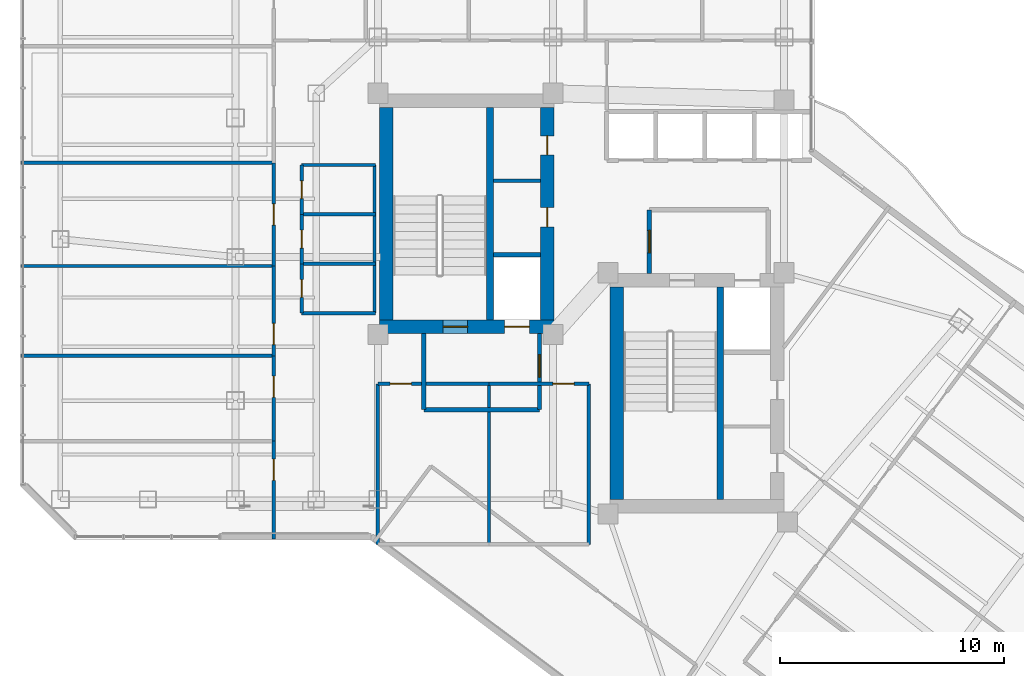
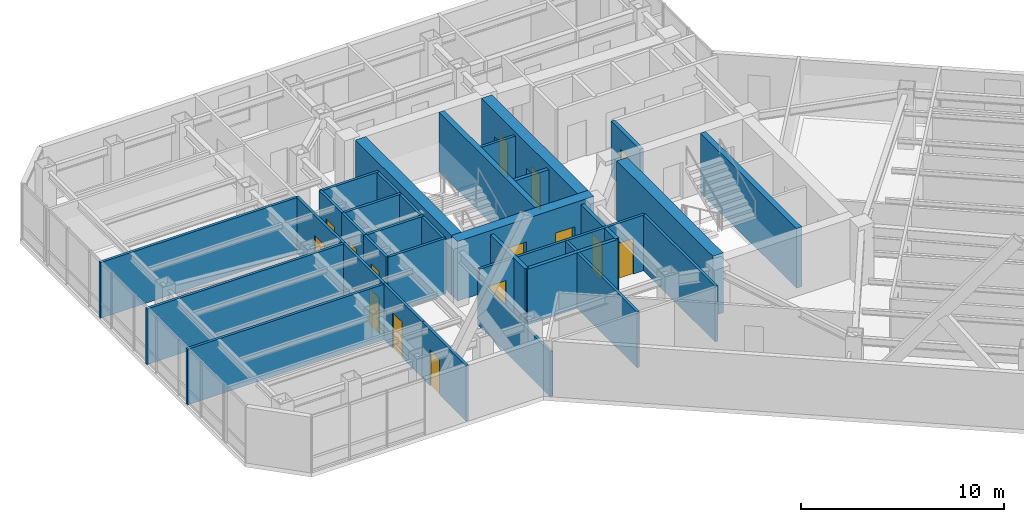
# One storey, part 22 of 27: 32 walls, 15 doors, 15 openings.
"""IFC4 building model written with IfcOpenShell, lengths in metres."""

from ifc_helpers import new_model, si_unit, direction, frame, frame_2d, origin, place, context, subcontext, project, spatial, rectangle, extrude, material, layer, layer_set, type_object, element, fill, save


model = new_model("IFC4")

# Units and contexts
model_context = context("Model", 3, precision=1e-05, world=origin(), true_north=direction((0.0, 1.0)))
body_context = subcontext(model_context, "Body", "Model", "MODEL_VIEW")
ifc_project = project(units=[si_unit("LENGTHUNIT", "METRE"), si_unit("AREAUNIT", "SQUARE_METRE"), si_unit("VOLUMEUNIT", "CUBIC_METRE"), si_unit("PLANEANGLEUNIT", "RADIAN"), si_unit("MASSUNIT", "GRAM", prefix="KILO")], contexts=[model_context])

# Site, building, storey
site_placement = place(None, origin())
site = spatial("IfcSite", under=ifc_project, at=site_placement, CompositionType="ELEMENT")
building_placement = place(site_placement, origin())
building = spatial("IfcBuilding", under=site, at=building_placement, Name="Hatsunagi Terrace Concourse", CompositionType="ELEMENT")
storey_placement = place(building_placement, frame((0.0, 0.0, 167.25)))
storey = spatial("IfcBuildingStorey", under=building, at=storey_placement, Name="L44", CompositionType="ELEMENT", Elevation=167.25)

# Wall, openings, doors
ifc_material_1 = material(Name="Concrete Fc48", Category="concrete")
ifc_layer_1 = layer(ifc_material_1, 0.60009765625)
ifc_layer_set_1 = layer_set([ifc_layer_1], Name="CoreShearWall_Fc48_600")
wall_type_1 = type_object("IfcWallType", Name="CoreShearWall_Fc48_600", PredefinedType="SHEAR", material=ifc_layer_set_1)
wall_1_placement = place(storey_placement, frame((25.6201171875, 32.889892578125, 0.0), z_axis=(0.0, 0.0, 1.0), x_axis=(1.0, 0.0, 0.0)))
wall_1 = element("IfcWall", 1, at=wall_1_placement, inside=storey, type_object=wall_type_1, Name="Core A Shear Wall S L44", PredefinedType="SHEAR", context=body_context, shape_type="SweptSolid", body=[
    extrude(rectangle(XDim=7.77978515625, YDim=0.60009765625, at=frame_2d((3.889892578125, 0.0))), origin(), (0.0, 0.0, 1.0), 3.60009765625),
])
opening_1_placement = place(wall_1_placement, frame((2.830078125, 0.0, 0.0)))
opening_1 = element("IfcOpeningElement", 2, at=opening_1_placement, cuts=wall_1, Name="Opening DR-110S", PredefinedType="OPENING", context=body_context, shape_type="SweptSolid", body=[
    extrude(rectangle(XDim=1.10009765625, YDim=2.199951171875, at=frame_2d((0.550048828125, 1.10009765625))), frame((0.0, 0.31005859375, 0.0), z_axis=(0.0, -1.0, 0.0), x_axis=(1.0, 0.0, 0.0)), (0.0, 0.0, 1.0), 0.6201171875),
])
opening_2_placement = place(wall_1_placement, frame((5.580078125, 0.0, 0.0)))
opening_2 = element("IfcOpeningElement", 3, at=opening_2_placement, cuts=wall_1, Name="Opening LD-01", PredefinedType="OPENING", context=body_context, shape_type="SweptSolid", body=[
    extrude(rectangle(XDim=1.10009765625, YDim=2.14990234375, at=frame_2d((0.550048828125, 1.074951171875))), frame((0.0, 0.31005859375, 0.0), z_axis=(0.0, -1.0, 0.0), x_axis=(1.0, 0.0, 0.0)), (0.0, 0.0, 1.0), 0.6201171875),
])
ifc_material_2 = material(Name="Stainless steel", Category="steel")
door_type_1 = type_object("IfcDoorType", Name="LiftLandingDoor_LD01", OperationType="SLIDING_TO_LEFT", PredefinedType="USERDEFINED", material=ifc_material_2)
door_1_placement = place(opening_2_placement, origin())
door_1 = element("IfcDoor", 4, at=door_1_placement, inside=storey, type_object=door_type_1, Name="Lift landing door FF-01 L44", ObjectType="SLIDING_LANDING_DOOR", OperationType="SLIDING_TO_LEFT", OverallHeight=2.14990234375, OverallWidth=1.10009765625, PredefinedType="USERDEFINED", context=body_context, shape_type="SweptSolid", body=[
    extrude(rectangle(XDim=1.10009765625, YDim=2.14990234375, at=frame_2d((0.550048828125, 1.074951171875))), frame((0.0, 0.02490234375, 0.0), z_axis=(0.0, -1.0, 0.0), x_axis=(1.0, 0.0, 0.0)), (0.0, 0.0, 1.0), 0.050048828125),
])
fill(opening_2, door_1)
ifc_material_3 = material(Name="Painted steel", Category="steel")
door_type_2 = type_object("IfcDoorType", Name="StairFireDoor_EI60_1100", OperationType="NOTDEFINED", PredefinedType="DOOR", material=ifc_material_3)
door_2_placement = place(opening_1_placement, origin())
door_2 = element("IfcDoor", 5, at=door_2_placement, inside=storey, type_object=door_type_2, Name="Stair ST-A Exit Door L44", OperationType="SINGLE_SWING_LEFT", OverallHeight=2.199951171875, OverallWidth=1.10009765625, PredefinedType="DOOR", context=body_context, shape_type="SweptSolid", body=[
    extrude(rectangle(XDim=1.10009765625, YDim=2.199951171875, at=frame_2d((0.550048828125, 1.10009765625))), frame((0.0, 0.02490234375, 0.0), z_axis=(0.0, -1.0, 0.0), x_axis=(1.0, 0.0, 0.0)), (0.0, 0.0, 1.0), 0.050048828125),
])
fill(opening_1, door_2)

# Wall
wall_2_placement = place(storey_placement, frame((25.919921875, 33.18994140625, 0.0), z_axis=(0.0, 0.0, 1.0), x_axis=(0.0, 1.0, 0.0)))
element("IfcWall", 6, at=wall_2_placement, inside=storey, type_object=wall_type_1, Name="Core A Shear Wall W L44", PredefinedType="SHEAR", context=body_context, shape_type="SweptSolid", body=[
    extrude(rectangle(XDim=9.47998046875, YDim=0.60009765625, at=frame_2d((4.739990234375, 0.0))), origin(), (0.0, 0.0, 1.0), 3.60009765625),
])

# Wall, openings, doors
wall_3_placement = place(storey_placement, frame((33.10009765625, 33.18994140625, 0.0), z_axis=(0.0, 0.0, 1.0), x_axis=(0.0, 1.0, 0.0)))
wall_3 = element("IfcWall", 7, at=wall_3_placement, inside=storey, type_object=wall_type_1, Name="Core A Shear Wall E L44", PredefinedType="SHEAR", context=body_context, shape_type="SweptSolid", body=[
    extrude(rectangle(XDim=9.47998046875, YDim=0.60009765625, at=frame_2d((4.739990234375, 0.0))), origin(), (0.0, 0.0, 1.0), 3.60009765625),
])
opening_3_placement = place(wall_3_placement, frame((4.159912109375, 0.0, 0.0)))
opening_3 = element("IfcOpeningElement", 8, at=opening_3_placement, cuts=wall_3, Name="Opening DR-085", PredefinedType="OPENING", context=body_context, shape_type="SweptSolid", body=[
    extrude(rectangle(XDim=0.85009765625, YDim=2.080078125, at=frame_2d((0.425048828125, 1.0400390625))), frame((0.0, 0.31005859375, 0.0), z_axis=(0.0, -1.0, 0.0), x_axis=(1.0, 0.0, 0.0)), (0.0, 0.0, 1.0), 0.6201171875),
])
opening_4_placement = place(wall_3_placement, frame((7.360107421875, 0.0, 0.0)))
opening_4 = element("IfcOpeningElement", 9, at=opening_4_placement, cuts=wall_3, Name="Opening DR-085", PredefinedType="OPENING", context=body_context, shape_type="SweptSolid", body=[
    extrude(rectangle(XDim=0.85009765625, YDim=2.080078125, at=frame_2d((0.425048828125, 1.0400390625))), frame((0.0, 0.31005859375, 0.0), z_axis=(0.0, -1.0, 0.0), x_axis=(1.0, 0.0, 0.0)), (0.0, 0.0, 1.0), 0.6201171875),
])
ifc_material_4 = material(Name="Painted steel", Category="steel")
door_type_3 = type_object("IfcDoorType", Name="RiserAccessDoor_EI60_850", OperationType="NOTDEFINED", PredefinedType="DOOR", material=ifc_material_4)
door_3_placement = place(opening_3_placement, origin())
door_3 = element("IfcDoor", 10, at=door_3_placement, inside=storey, type_object=door_type_3, Name="Core A Riser Door L44-1", OperationType="SINGLE_SWING_LEFT", OverallHeight=2.080078125, OverallWidth=0.85009765625, PredefinedType="DOOR", context=body_context, shape_type="SweptSolid", body=[
    extrude(rectangle(XDim=0.85009765625, YDim=2.080078125, at=frame_2d((0.425048828125, 1.0400390625))), frame((0.0, 0.02490234375, 0.0), z_axis=(0.0, -1.0, 0.0), x_axis=(1.0, 0.0, 0.0)), (0.0, 0.0, 1.0), 0.050048828125),
])
fill(opening_3, door_3)
door_4_placement = place(opening_4_placement, origin())
door_4 = element("IfcDoor", 11, at=door_4_placement, inside=storey, type_object=door_type_3, Name="Core A Riser Door L44-2", OperationType="SINGLE_SWING_LEFT", OverallHeight=2.080078125, OverallWidth=0.85009765625, PredefinedType="DOOR", context=body_context, shape_type="SweptSolid", body=[
    extrude(rectangle(XDim=0.85009765625, YDim=2.080078125, at=frame_2d((0.425048828125, 1.0400390625))), frame((0.0, 0.02490234375, 0.0), z_axis=(0.0, -1.0, 0.0), x_axis=(1.0, 0.0, 0.0)), (0.0, 0.0, 1.0), 0.050048828125),
])
fill(opening_4, door_4)

# Walls
wall_4_placement = place(storey_placement, frame((36.18994140625, 25.18994140625, 0.0), z_axis=(0.0, 0.0, 1.0), x_axis=(0.0, 1.0, 0.0)))
element("IfcWall", 12, at=wall_4_placement, inside=storey, type_object=wall_type_1, Name="Core B Shear Wall W L44", PredefinedType="SHEAR", context=body_context, shape_type="SweptSolid", body=[
    extrude(rectangle(XDim=9.47998046875, YDim=0.60009765625, at=frame_2d((4.739990234375, 0.0))), origin(), (0.0, 0.0, 1.0), 3.60009765625),
])
ifc_material_5 = material(Name="Concrete Fc48", Category="concrete")
ifc_layer_2 = layer(ifc_material_5, 0.300048828125)
ifc_layer_set_2 = layer_set([ifc_layer_2], Name="CoreStairDivider_Fc48_300")
wall_type_2 = type_object("IfcWallType", Name="CoreStairDivider_Fc48_300", PredefinedType="SHEAR", material=ifc_layer_set_2)
for number, where, z_axis, x_axis, name in (
    (13, (30.5400390625, 33.18994140625, 0.0), (0.0, 0.0, 1.0), (0.0, 1.0, 0.0), "Core A Shear Wall D L44"),
    (14, (40.81005859375, 25.18994140625, 0.0), (0.0, 0.0, 1.0), (0.0, 1.0, 0.0), "Core B Shear Wall D L44"),
):
    element("IfcWall", number, at=place(storey_placement, frame(where, z_axis=z_axis, x_axis=x_axis)), inside=storey, type_object=wall_type_2, Name=name, PredefinedType="SHEAR", context=body_context, shape_type="SweptSolid", body=[
        extrude(rectangle(XDim=9.47998046875, YDim=0.300048828125, at=frame_2d((4.739990234375, 0.0))), origin(), (0.0, 0.0, 1.0), 3.60009765625),
    ])
ifc_material_6 = material(Name="Acoustic mineral board", Category="gypsum")
ifc_layer_3 = layer(ifc_material_6, 0.14990234375)
ifc_layer_set_3 = layer_set([ifc_layer_3], Name="PartitionWall_EI60_150")
wall_type_3 = type_object("IfcWallType", Name="PartitionWall_EI60_150", PredefinedType="PARTITIONING", material=ifc_layer_set_3)
wall_5_placement = place(storey_placement, frame((30.699951171875, 39.39990234375, 0.0), z_axis=(0.0, 0.0, 1.0), x_axis=(1.0, 0.0, 0.0)))
element("IfcWall", 15, at=wall_5_placement, inside=storey, type_object=wall_type_3, Name="Interior Partition IW-L44-002", PredefinedType="PARTITIONING", context=body_context, shape_type="SweptSolid", body=[
    extrude(rectangle(XDim=2.10009765625, YDim=0.14990234375, at=frame_2d((1.050048828125, 0.0))), origin(), (0.0, 0.0, 1.0), 3.35009765625),
])
for number, where, z_axis, x_axis, name in (
    (16, (22.14990234375, 33.5, 0.0), (0.0, 0.0, 1.0), (1.0, 0.0, 0.0), "Interior Partition IW-L44-017"),
    (17, (22.14990234375, 40.10009765625, 0.0), (0.0, 0.0, 1.0), (1.0, 0.0, 0.0), "Interior Partition IW-L44-018"),
):
    element("IfcWall", number, at=place(storey_placement, frame(where, z_axis=z_axis, x_axis=x_axis)), inside=storey, type_object=wall_type_3, Name=name, PredefinedType="PARTITIONING", context=body_context, shape_type="SweptSolid", body=[
        extrude(rectangle(XDim=3.300048828125, YDim=0.14990234375, at=frame_2d((1.64990234375, 0.0))), origin(), (0.0, 0.0, 1.0), 3.35009765625),
    ])
wall_6_placement = place(storey_placement, frame((25.39990234375, 33.5, 0.0), z_axis=(0.0, 0.0, 1.0), x_axis=(0.0, 1.0, 0.0)))
element("IfcWall", 18, at=wall_6_placement, inside=storey, type_object=wall_type_3, Name="Interior Partition IW-L44-019", PredefinedType="PARTITIONING", context=body_context, shape_type="SweptSolid", body=[
    extrude(rectangle(XDim=6.60009765625, YDim=0.14990234375, at=frame_2d((3.300048828125, 0.0))), origin(), (0.0, 0.0, 1.0), 3.35009765625),
])
for number, where, z_axis, x_axis, name in (
    (19, (22.14990234375, 35.699951171875, 0.0), (0.0, 0.0, 1.0), (1.0, 0.0, 0.0), "Interior Partition IW-L44-020"),
    (20, (22.14990234375, 37.89990234375, 0.0), (0.0, 0.0, 1.0), (1.0, 0.0, 0.0), "Interior Partition IW-L44-021"),
):
    element("IfcWall", number, at=place(storey_placement, frame(where, z_axis=z_axis, x_axis=x_axis)), inside=storey, type_object=wall_type_3, Name=name, PredefinedType="PARTITIONING", context=body_context, shape_type="SweptSolid", body=[
        extrude(rectangle(XDim=3.300048828125, YDim=0.14990234375, at=frame_2d((1.64990234375, 0.0))), origin(), (0.0, 0.0, 1.0), 3.35009765625),
    ])

# Wall, opening, door
wall_7_placement = place(storey_placement, frame((22.14990234375, 33.5, 0.0), z_axis=(0.0, 0.0, 1.0), x_axis=(0.0, 1.0, 0.0)))
wall_7 = element("IfcWall", 21, at=wall_7_placement, inside=storey, type_object=wall_type_3, Name="Interior Partition IW-L44-022", PredefinedType="PARTITIONING", context=body_context, shape_type="SweptSolid", body=[
    extrude(rectangle(XDim=2.199951171875, YDim=0.14990234375, at=frame_2d((1.10009765625, 0.0))), origin(), (0.0, 0.0, 1.0), 3.35009765625),
])
opening_5_placement = place(wall_7_placement, frame((0.699951171875, 0.0, 0.0)))
opening_5 = element("IfcOpeningElement", 22, at=opening_5_placement, cuts=wall_7, Name="Opening DR-080", PredefinedType="OPENING", context=body_context, shape_type="SweptSolid", body=[
    extrude(rectangle(XDim=0.800048828125, YDim=2.06005859375, at=frame_2d((0.39990234375, 1.030029296875))), frame((0.0, 0.0849609375, 0.0), z_axis=(0.0, -1.0, 0.0), x_axis=(1.0, 0.0, 0.0)), (0.0, 0.0, 1.0), 0.169921875),
])
ifc_material_7 = material(Name="Hardwood timber", Category="wood")
door_type_4 = type_object("IfcDoorType", Name="BathroomDoor_800", OperationType="NOTDEFINED", PredefinedType="DOOR", material=ifc_material_7)
door_5_placement = place(opening_5_placement, origin())
door_5 = element("IfcDoor", 23, at=door_5_placement, inside=storey, type_object=door_type_4, Name="Accessible WC Door L44", OperationType="SINGLE_SWING_RIGHT", OverallHeight=2.06005859375, OverallWidth=0.800048828125, PredefinedType="DOOR", context=body_context, shape_type="SweptSolid", body=[
    extrude(rectangle(XDim=0.800048828125, YDim=2.06005859375, at=frame_2d((0.39990234375, 1.030029296875))), frame((0.0, 0.02490234375, 0.0), z_axis=(0.0, -1.0, 0.0), x_axis=(1.0, 0.0, 0.0)), (0.0, 0.0, 1.0), 0.050048828125),
])
fill(opening_5, door_5)

wall_8_placement = place(storey_placement, frame((22.14990234375, 35.699951171875, 0.0), z_axis=(0.0, 0.0, 1.0), x_axis=(0.0, 1.0, 0.0)))
wall_8 = element("IfcWall", 24, at=wall_8_placement, inside=storey, type_object=wall_type_3, Name="Interior Partition IW-L44-023", PredefinedType="PARTITIONING", context=body_context, shape_type="SweptSolid", body=[
    extrude(rectangle(XDim=2.199951171875, YDim=0.14990234375, at=frame_2d((1.10009765625, 0.0))), origin(), (0.0, 0.0, 1.0), 3.35009765625),
])
opening_6_placement = place(wall_8_placement, frame((0.699951171875, 0.0, 0.0)))
opening_6 = element("IfcOpeningElement", 25, at=opening_6_placement, cuts=wall_8, Name="Opening DR-080", PredefinedType="OPENING", context=body_context, shape_type="SweptSolid", body=[
    extrude(rectangle(XDim=0.800048828125, YDim=2.06005859375, at=frame_2d((0.39990234375, 1.030029296875))), frame((0.0, 0.0849609375, 0.0), z_axis=(0.0, -1.0, 0.0), x_axis=(1.0, 0.0, 0.0)), (0.0, 0.0, 1.0), 0.169921875),
])
door_6_placement = place(opening_6_placement, origin())
door_6 = element("IfcDoor", 26, at=door_6_placement, inside=storey, type_object=door_type_4, Name="Female Restroom Door L44", OperationType="SINGLE_SWING_RIGHT", OverallHeight=2.06005859375, OverallWidth=0.800048828125, PredefinedType="DOOR", context=body_context, shape_type="SweptSolid", body=[
    extrude(rectangle(XDim=0.800048828125, YDim=2.06005859375, at=frame_2d((0.39990234375, 1.030029296875))), frame((0.0, 0.02490234375, 0.0), z_axis=(0.0, -1.0, 0.0), x_axis=(1.0, 0.0, 0.0)), (0.0, 0.0, 1.0), 0.050048828125),
])
fill(opening_6, door_6)

wall_9_placement = place(storey_placement, frame((22.14990234375, 37.89990234375, 0.0), z_axis=(0.0, 0.0, 1.0), x_axis=(0.0, 1.0, 0.0)))
wall_9 = element("IfcWall", 27, at=wall_9_placement, inside=storey, type_object=wall_type_3, Name="Interior Partition IW-L44-024", PredefinedType="PARTITIONING", context=body_context, shape_type="SweptSolid", body=[
    extrude(rectangle(XDim=2.2001953125, YDim=0.14990234375, at=frame_2d((1.10009765625, 0.0))), origin(), (0.0, 0.0, 1.0), 3.35009765625),
])
opening_7_placement = place(wall_9_placement, frame((0.699951171875, 0.0, 0.0)))
opening_7 = element("IfcOpeningElement", 28, at=opening_7_placement, cuts=wall_9, Name="Opening DR-080", PredefinedType="OPENING", context=body_context, shape_type="SweptSolid", body=[
    extrude(rectangle(XDim=0.800048828125, YDim=2.06005859375, at=frame_2d((0.39990234375, 1.030029296875))), frame((0.0, 0.0849609375, 0.0), z_axis=(0.0, -1.0, 0.0), x_axis=(1.0, 0.0, 0.0)), (0.0, 0.0, 1.0), 0.169921875),
])
door_7_placement = place(opening_7_placement, origin())
door_7 = element("IfcDoor", 29, at=door_7_placement, inside=storey, type_object=door_type_4, Name="Male Restroom Door L44", OperationType="SINGLE_SWING_RIGHT", OverallHeight=2.06005859375, OverallWidth=0.800048828125, PredefinedType="DOOR", context=body_context, shape_type="SweptSolid", body=[
    extrude(rectangle(XDim=0.800048828125, YDim=2.06005859375, at=frame_2d((0.39990234375, 1.030029296875))), frame((0.0, 0.02490234375, 0.0), z_axis=(0.0, -1.0, 0.0), x_axis=(1.0, 0.0, 0.0)), (0.0, 0.0, 1.0), 0.050048828125),
])
fill(opening_7, door_7)

wall_10_placement = place(storey_placement, frame((25.550048828125, 30.35009765625, 0.0), z_axis=(0.0, 0.0, 1.0), x_axis=(1.0, 0.0, 0.0)))
wall_10 = element("IfcWall", 30, at=wall_10_placement, inside=storey, type_object=wall_type_3, Name="Interior Partition IW-L44-026", PredefinedType="PARTITIONING", context=body_context, shape_type="SweptSolid", body=[
    extrude(rectangle(XDim=4.949951171875, YDim=0.14990234375, at=frame_2d((2.47509765625, 0.0))), origin(), (0.0, 0.0, 1.0), 3.35009765625),
])
opening_8_placement = place(wall_10_placement, frame((0.5419921875, 0.0, 0.0)))
opening_8 = element("IfcOpeningElement", 31, at=opening_8_placement, cuts=wall_10, Name="Opening DR-095", PredefinedType="OPENING", context=body_context, shape_type="SweptSolid", body=[
    extrude(rectangle(XDim=0.949951171875, YDim=2.14990234375, at=frame_2d((0.47509765625, 1.074951171875))), frame((0.0, 0.0849609375, 0.0), z_axis=(0.0, -1.0, 0.0), x_axis=(1.0, 0.0, 0.0)), (0.0, 0.0, 1.0), 0.169921875),
])
ifc_material_8 = material(Name="Hardwood timber", Category="wood")
door_type_5 = type_object("IfcDoorType", Name="InteriorSuiteDoor_EI30_950", OperationType="NOTDEFINED", PredefinedType="DOOR", material=ifc_material_8)
door_8_placement = place(opening_8_placement, origin())
door_8 = element("IfcDoor", 32, at=door_8_placement, inside=storey, type_object=door_type_5, Name="Breakout Pantry L44-RECL1 Door", OperationType="SINGLE_SWING_RIGHT", OverallHeight=2.14990234375, OverallWidth=0.949951171875, PredefinedType="DOOR", context=body_context, shape_type="SweptSolid", body=[
    extrude(rectangle(XDim=0.949951171875, YDim=2.14990234375, at=frame_2d((0.47509765625, 1.074951171875))), frame((0.0, 0.02490234375, 0.0), z_axis=(0.0, -1.0, 0.0), x_axis=(1.0, 0.0, 0.0)), (0.0, 0.0, 1.0), 0.050048828125),
])
fill(opening_8, door_8)

# Walls
wall_11_placement = place(storey_placement, frame((25.550048828125, 23.199951171875, 0.0), z_axis=(0.0, 0.0, 1.0), x_axis=(0.0, 1.0, 0.0)))
element("IfcWall", 33, at=wall_11_placement, inside=storey, type_object=wall_type_3, Name="Interior Partition IW-L44-027", PredefinedType="PARTITIONING", context=body_context, shape_type="SweptSolid", body=[
    extrude(rectangle(XDim=7.150146484375, YDim=0.14990234375, at=frame_2d((3.5751953125, 0.0))), origin(), (0.0, 0.0, 1.0), 2.695068359375),
])
wall_12_placement = place(storey_placement, frame((30.5, 23.199951171875, 0.0), z_axis=(0.0, 0.0, 1.0), x_axis=(0.0, 1.0, 0.0)))
element("IfcWall", 34, at=wall_12_placement, inside=storey, type_object=wall_type_3, Name="Interior Partition IW-L44-028", PredefinedType="PARTITIONING", context=body_context, shape_type="SweptSolid", body=[
    extrude(rectangle(XDim=7.150146484375, YDim=0.14990234375, at=frame_2d((3.5751953125, 0.0))), origin(), (0.0, 0.0, 1.0), 3.35009765625),
])

# Wall, opening, door
wall_13_placement = place(storey_placement, frame((30.5, 30.35009765625, 0.0), z_axis=(0.0, 0.0, 1.0), x_axis=(1.0, 0.0, 0.0)))
wall_13 = element("IfcWall", 35, at=wall_13_placement, inside=storey, type_object=wall_type_3, Name="Interior Partition IW-L44-030", PredefinedType="PARTITIONING", context=body_context, shape_type="SweptSolid", body=[
    extrude(rectangle(XDim=4.449951171875, YDim=0.14990234375, at=frame_2d((2.22509765625, 0.0))), origin(), (0.0, 0.0, 1.0), 3.35009765625),
])
opening_9_placement = place(wall_13_placement, frame((2.845947265625, 0.0, 0.0)))
opening_9 = element("IfcOpeningElement", 36, at=opening_9_placement, cuts=wall_13, Name="Opening DR-095", PredefinedType="OPENING", context=body_context, shape_type="SweptSolid", body=[
    extrude(rectangle(XDim=0.949951171875, YDim=2.14990234375, at=frame_2d((0.47509765625, 1.074951171875))), frame((0.0, 0.0849609375, 0.0), z_axis=(0.0, -1.0, 0.0), x_axis=(1.0, 0.0, 0.0)), (0.0, 0.0, 1.0), 0.169921875),
])
door_9_placement = place(opening_9_placement, origin())
door_9 = element("IfcDoor", 37, at=door_9_placement, inside=storey, type_object=door_type_5, Name="Focus Room L44-RECL2 Door", OperationType="SINGLE_SWING_RIGHT", OverallHeight=2.14990234375, OverallWidth=0.949951171875, PredefinedType="DOOR", context=body_context, shape_type="SweptSolid", body=[
    extrude(rectangle(XDim=0.949951171875, YDim=2.14990234375, at=frame_2d((0.47509765625, 1.074951171875))), frame((0.0, 0.02490234375, 0.0), z_axis=(0.0, -1.0, 0.0), x_axis=(1.0, 0.0, 0.0)), (0.0, 0.0, 1.0), 0.050048828125),
])
fill(opening_9, door_9)

# Wall
wall_14_placement = place(storey_placement, frame((34.949951171875, 23.199951171875, 0.0), z_axis=(0.0, 0.0, 1.0), x_axis=(0.0, 1.0, 0.0)))
element("IfcWall", 38, at=wall_14_placement, inside=storey, type_object=wall_type_3, Name="Interior Partition IW-L44-031", PredefinedType="PARTITIONING", context=body_context, shape_type="SweptSolid", body=[
    extrude(rectangle(XDim=7.150146484375, YDim=0.14990234375, at=frame_2d((3.5751953125, 0.0))), origin(), (0.0, 0.0, 1.0), 3.35009765625),
])

# Wall, opening, door
wall_15_placement = place(storey_placement, frame((20.89990234375, 23.43994140625, 0.0), z_axis=(0.0, 0.0, 1.0), x_axis=(0.0, 1.0, 0.0)))
wall_15 = element("IfcWall", 39, at=wall_15_placement, inside=storey, type_object=wall_type_3, Name="Interior Partition IW-L44-033", PredefinedType="PARTITIONING", context=body_context, shape_type="SweptSolid", body=[
    extrude(rectangle(XDim=4.360107421875, YDim=0.14990234375, at=frame_2d((2.18017578125, 0.0))), origin(), (0.0, 0.0, 1.0), 3.35009765625),
])
opening_10_placement = place(wall_15_placement, frame((2.60595703125, 0.0, 0.0)))
opening_10 = element("IfcOpeningElement", 40, at=opening_10_placement, cuts=wall_15, Name="Opening DR-095", PredefinedType="OPENING", context=body_context, shape_type="SweptSolid", body=[
    extrude(rectangle(XDim=0.949951171875, YDim=2.14990234375, at=frame_2d((0.47509765625, 1.074951171875))), frame((0.0, 0.0849609375, 0.0), z_axis=(0.0, -1.0, 0.0), x_axis=(1.0, 0.0, 0.0)), (0.0, 0.0, 1.0), 0.169921875),
])
door_10_placement = place(opening_10_placement, origin())
door_10 = element("IfcDoor", 41, at=door_10_placement, inside=storey, type_object=door_type_5, Name="Executive Office L44-OW1 Door", OperationType="SINGLE_SWING_RIGHT", OverallHeight=2.14990234375, OverallWidth=0.949951171875, PredefinedType="DOOR", context=body_context, shape_type="SweptSolid", body=[
    extrude(rectangle(XDim=0.949951171875, YDim=2.14990234375, at=frame_2d((0.47509765625, 1.074951171875))), frame((0.0, 0.02490234375, 0.0), z_axis=(0.0, -1.0, 0.0), x_axis=(1.0, 0.0, 0.0)), (0.0, 0.0, 1.0), 0.050048828125),
])
fill(opening_10, door_10)

# Wall
wall_16_placement = place(storey_placement, frame((9.639892578125, 31.60009765625, 0.0), z_axis=(0.0, 0.0, 1.0), x_axis=(1.0, 0.0, 0.0)))
element("IfcWall", 42, at=wall_16_placement, inside=storey, type_object=wall_type_3, Name="Interior Partition IW-L44-034", PredefinedType="PARTITIONING", context=body_context, shape_type="SweptSolid", body=[
    extrude(rectangle(XDim=11.260009765625, YDim=0.14990234375, at=frame_2d((5.6298828125, 0.0))), origin(), (0.0, 0.0, 1.0), 3.35009765625),
])

# Wall, opening, door
wall_17_placement = place(storey_placement, frame((20.89990234375, 27.800048828125, 0.0), z_axis=(0.0, 0.0, 1.0), x_axis=(0.0, 1.0, 0.0)))
wall_17 = element("IfcWall", 43, at=wall_17_placement, inside=storey, type_object=wall_type_3, Name="Interior Partition IW-L44-035", PredefinedType="PARTITIONING", context=body_context, shape_type="SweptSolid", body=[
    extrude(rectangle(XDim=3.800048828125, YDim=0.14990234375, at=frame_2d((1.89990234375, 0.0))), origin(), (0.0, 0.0, 1.0), 3.35009765625),
])
opening_11_placement = place(wall_17_placement, frame((1.947998046875, 0.0, 0.0)))
opening_11 = element("IfcOpeningElement", 44, at=opening_11_placement, cuts=wall_17, Name="Opening DR-095", PredefinedType="OPENING", context=body_context, shape_type="SweptSolid", body=[
    extrude(rectangle(XDim=0.949951171875, YDim=2.14990234375, at=frame_2d((0.47509765625, 1.074951171875))), frame((0.0, 0.0849609375, 0.0), z_axis=(0.0, -1.0, 0.0), x_axis=(1.0, 0.0, 0.0)), (0.0, 0.0, 1.0), 0.169921875),
])
door_11_placement = place(opening_11_placement, origin())
door_11 = element("IfcDoor", 45, at=door_11_placement, inside=storey, type_object=door_type_5, Name="Focus Room L44-OW2 Door", OperationType="SINGLE_SWING_RIGHT", OverallHeight=2.14990234375, OverallWidth=0.949951171875, PredefinedType="DOOR", context=body_context, shape_type="SweptSolid", body=[
    extrude(rectangle(XDim=0.949951171875, YDim=2.14990234375, at=frame_2d((0.47509765625, 1.074951171875))), frame((0.0, 0.02490234375, 0.0), z_axis=(0.0, -1.0, 0.0), x_axis=(1.0, 0.0, 0.0)), (0.0, 0.0, 1.0), 0.050048828125),
])
fill(opening_11, door_11)

# Wall
wall_18_placement = place(storey_placement, frame((9.639892578125, 35.60009765625, 0.0), z_axis=(0.0, 0.0, 1.0), x_axis=(1.0, 0.0, 0.0)))
element("IfcWall", 46, at=wall_18_placement, inside=storey, type_object=wall_type_3, Name="Interior Partition IW-L44-036", PredefinedType="PARTITIONING", context=body_context, shape_type="SweptSolid", body=[
    extrude(rectangle(XDim=11.260009765625, YDim=0.14990234375, at=frame_2d((5.6298828125, 0.0))), origin(), (0.0, 0.0, 1.0), 3.35009765625),
])

# Wall, opening, door
wall_19_placement = place(storey_placement, frame((20.89990234375, 31.60009765625, 0.0), z_axis=(0.0, 0.0, 1.0), x_axis=(0.0, 1.0, 0.0)))
wall_19 = element("IfcWall", 47, at=wall_19_placement, inside=storey, type_object=wall_type_3, Name="Interior Partition IW-L44-037", PredefinedType="PARTITIONING", context=body_context, shape_type="SweptSolid", body=[
    extrude(rectangle(XDim=4.0, YDim=0.14990234375, at=frame_2d((2.0, 0.0))), origin(), (0.0, 0.0, 1.0), 3.35009765625),
])
opening_12_placement = place(wall_19_placement, frame((0.493896484375, 0.0, 0.0)))
opening_12 = element("IfcOpeningElement", 48, at=opening_12_placement, cuts=wall_19, Name="Opening DR-095", PredefinedType="OPENING", context=body_context, shape_type="SweptSolid", body=[
    extrude(rectangle(XDim=0.949951171875, YDim=2.14990234375, at=frame_2d((0.47509765625, 1.074951171875))), frame((0.0, 0.0849609375, 0.0), z_axis=(0.0, -1.0, 0.0), x_axis=(1.0, 0.0, 0.0)), (0.0, 0.0, 1.0), 0.169921875),
])
door_12_placement = place(opening_12_placement, origin())
door_12 = element("IfcDoor", 49, at=door_12_placement, inside=storey, type_object=door_type_5, Name="Focus Room L44-OW3 Door", OperationType="SINGLE_SWING_RIGHT", OverallHeight=2.14990234375, OverallWidth=0.949951171875, PredefinedType="DOOR", context=body_context, shape_type="SweptSolid", body=[
    extrude(rectangle(XDim=0.949951171875, YDim=2.14990234375, at=frame_2d((0.47509765625, 1.074951171875))), frame((0.0, 0.02490234375, 0.0), z_axis=(0.0, -1.0, 0.0), x_axis=(1.0, 0.0, 0.0)), (0.0, 0.0, 1.0), 0.050048828125),
])
fill(opening_12, door_12)

# Wall
wall_20_placement = place(storey_placement, frame((9.639892578125, 40.199951171875, 0.0), z_axis=(0.0, 0.0, 1.0), x_axis=(1.0, 0.0, 0.0)))
element("IfcWall", 50, at=wall_20_placement, inside=storey, type_object=wall_type_3, Name="Interior Partition IW-L44-038", PredefinedType="PARTITIONING", context=body_context, shape_type="SweptSolid", body=[
    extrude(rectangle(XDim=11.260009765625, YDim=0.14990234375, at=frame_2d((5.6298828125, 0.0))), origin(), (0.0, 0.0, 1.0), 3.35009765625),
])

# Wall, opening, door
wall_21_placement = place(storey_placement, frame((20.89990234375, 35.60009765625, 0.0), z_axis=(0.0, 0.0, 1.0), x_axis=(0.0, 1.0, 0.0)))
wall_21 = element("IfcWall", 51, at=wall_21_placement, inside=storey, type_object=wall_type_3, Name="Interior Partition IW-L44-039", PredefinedType="PARTITIONING", context=body_context, shape_type="SweptSolid", body=[
    extrude(rectangle(XDim=4.599853515625, YDim=0.14990234375, at=frame_2d((2.2998046875, 0.0))), origin(), (0.0, 0.0, 1.0), 3.35009765625),
])
opening_13_placement = place(wall_21_placement, frame((1.824951171875, 0.0, 0.0)))
opening_13 = element("IfcOpeningElement", 52, at=opening_13_placement, cuts=wall_21, Name="Opening DR-095", PredefinedType="OPENING", context=body_context, shape_type="SweptSolid", body=[
    extrude(rectangle(XDim=0.949951171875, YDim=2.14990234375, at=frame_2d((0.47509765625, 1.074951171875))), frame((0.0, 0.0849609375, 0.0), z_axis=(0.0, -1.0, 0.0), x_axis=(1.0, 0.0, 0.0)), (0.0, 0.0, 1.0), 0.169921875),
])
door_13_placement = place(opening_13_placement, origin())
door_13 = element("IfcDoor", 53, at=door_13_placement, inside=storey, type_object=door_type_5, Name="Executive Office L44-OW4 Door", OperationType="SINGLE_SWING_RIGHT", OverallHeight=2.14990234375, OverallWidth=0.949951171875, PredefinedType="DOOR", context=body_context, shape_type="SweptSolid", body=[
    extrude(rectangle(XDim=0.949951171875, YDim=2.14990234375, at=frame_2d((0.47509765625, 1.074951171875))), frame((0.0, 0.02490234375, 0.0), z_axis=(0.0, -1.0, 0.0), x_axis=(1.0, 0.0, 0.0)), (0.0, 0.0, 1.0), 0.050048828125),
])
fill(opening_13, door_13)

# Walls
ifc_material_9 = material(Name="Acoustic mineral board", Category="gypsum")
ifc_layer_4 = layer(ifc_material_9, 0.199951171875)
ifc_layer_set_4 = layer_set([ifc_layer_4], Name="ShaftWall_EI120_200")
wall_type_4 = type_object("IfcWallType", Name="ShaftWall_EI120_200", PredefinedType="STANDARD", material=ifc_layer_set_4)
wall_22_placement = place(storey_placement, frame((30.699951171875, 36.10009765625, 0.0), z_axis=(0.0, 0.0, 1.0), x_axis=(1.0, 0.0, 0.0)))
element("IfcWall", 54, at=wall_22_placement, inside=storey, type_object=wall_type_4, Name="Interior Partition IW-L44-001", PredefinedType="STANDARD", context=body_context, shape_type="SweptSolid", body=[
    extrude(rectangle(XDim=2.10009765625, YDim=0.199951171875, at=frame_2d((1.050048828125, 0.0))), origin(), (0.0, 0.0, 1.0), 3.35009765625),
])
wall_23_placement = place(storey_placement, frame((27.60009765625, 29.199951171875, 0.0), z_axis=(0.0, 0.0, 1.0), x_axis=(1.0, 0.0, 0.0)))
element("IfcWall", 55, at=wall_23_placement, inside=storey, type_object=wall_type_4, Name="Interior Partition IW-L44-005", PredefinedType="STANDARD", context=body_context, shape_type="SweptSolid", body=[
    extrude(rectangle(XDim=5.14990234375, YDim=0.199951171875, at=frame_2d((2.574951171875, 0.0))), origin(), (0.0, 0.0, 1.0), 3.35009765625),
])
wall_24_placement = place(storey_placement, frame((27.60009765625, 29.199951171875, 0.0), z_axis=(0.0, 0.0, 1.0), x_axis=(0.0, 1.0, 0.0)))
element("IfcWall", 56, at=wall_24_placement, inside=storey, type_object=wall_type_4, Name="Interior Partition IW-L44-006", PredefinedType="STANDARD", context=body_context, shape_type="SweptSolid", body=[
    extrude(rectangle(XDim=3.39013671875, YDim=0.199951171875, at=frame_2d((1.695068359375, 0.0))), origin(), (0.0, 0.0, 1.0), 3.35009765625),
])

# Wall, opening, door
wall_25_placement = place(storey_placement, frame((32.75, 29.199951171875, 0.0), z_axis=(0.0, 0.0, 1.0), x_axis=(0.0, 1.0, 0.0)))
wall_25 = element("IfcWall", 57, at=wall_25_placement, inside=storey, type_object=wall_type_4, Name="Interior Partition IW-L44-007", PredefinedType="STANDARD", context=body_context, shape_type="SweptSolid", body=[
    extrude(rectangle(XDim=3.39013671875, YDim=0.199951171875, at=frame_2d((1.695068359375, 0.0))), origin(), (0.0, 0.0, 1.0), 3.35009765625),
])
opening_14_placement = place(wall_25_placement, frame((1.449951171875, 0.0, 0.0)))
opening_14 = element("IfcOpeningElement", 58, at=opening_14_placement, cuts=wall_25, Name="Opening DR-100F", PredefinedType="OPENING", context=body_context, shape_type="SweptSolid", body=[
    extrude(rectangle(XDim=1.0, YDim=2.199951171875, at=frame_2d((0.5, 1.10009765625))), frame((0.0, 0.10986328125, 0.0), z_axis=(0.0, -1.0, 0.0), x_axis=(1.0, 0.0, 0.0)), (0.0, 0.0, 1.0), 0.219970703125),
])
ifc_material_10 = material(Name="Painted steel", Category="steel")
door_type_6 = type_object("IfcDoorType", Name="FireDoor_EI60_1000", OperationType="NOTDEFINED", PredefinedType="DOOR", material=ifc_material_10)
door_14_placement = place(opening_14_placement, origin())
door_14 = element("IfcDoor", 59, at=door_14_placement, inside=storey, type_object=door_type_6, Name="Firefighting Lobby A Door L44", OperationType="SINGLE_SWING_RIGHT", OverallHeight=2.199951171875, OverallWidth=1.0, PredefinedType="DOOR", context=body_context, shape_type="SweptSolid", body=[
    extrude(rectangle(XDim=1.0, YDim=2.199951171875, at=frame_2d((0.5, 1.10009765625))), frame((0.0, 0.02490234375, 0.0), z_axis=(0.0, -1.0, 0.0), x_axis=(1.0, 0.0, 0.0)), (0.0, 0.0, 1.0), 0.050048828125),
])
fill(opening_14, door_14)

wall_26_placement = place(storey_placement, frame((37.64990234375, 35.27001953125, 0.0), z_axis=(0.0, 0.0, 1.0), x_axis=(0.0, 1.0, 0.0)))
wall_26 = element("IfcWall", 60, at=wall_26_placement, inside=storey, type_object=wall_type_4, Name="Interior Partition IW-L44-010", PredefinedType="STANDARD", context=body_context, shape_type="SweptSolid", body=[
    extrude(rectangle(XDim=2.830078125, YDim=0.199951171875, at=frame_2d((1.4150390625, 0.0))), origin(), (0.0, 0.0, 1.0), 3.35009765625),
])
opening_15_placement = place(wall_26_placement, frame((0.9150390625, 0.0, 0.0)))
opening_15 = element("IfcOpeningElement", 61, at=opening_15_placement, cuts=wall_26, Name="Opening DR-100F", PredefinedType="OPENING", context=body_context, shape_type="SweptSolid", body=[
    extrude(rectangle(XDim=1.0, YDim=2.199951171875, at=frame_2d((0.5, 1.10009765625))), frame((0.0, 0.10986328125, 0.0), z_axis=(0.0, -1.0, 0.0), x_axis=(1.0, 0.0, 0.0)), (0.0, 0.0, 1.0), 0.219970703125),
])
door_15_placement = place(opening_15_placement, origin())
door_15 = element("IfcDoor", 62, at=door_15_placement, inside=storey, type_object=door_type_6, Name="Firefighting Lobby B Door L44", OperationType="SINGLE_SWING_RIGHT", OverallHeight=2.199951171875, OverallWidth=1.0, PredefinedType="DOOR", context=body_context, shape_type="SweptSolid", body=[
    extrude(rectangle(XDim=1.0, YDim=2.199951171875, at=frame_2d((0.5, 1.10009765625))), frame((0.0, 0.02490234375, 0.0), z_axis=(0.0, -1.0, 0.0), x_axis=(1.0, 0.0, 0.0)), (0.0, 0.0, 1.0), 0.050048828125),
])
fill(opening_15, door_15)

save(model, "model.ifc")
